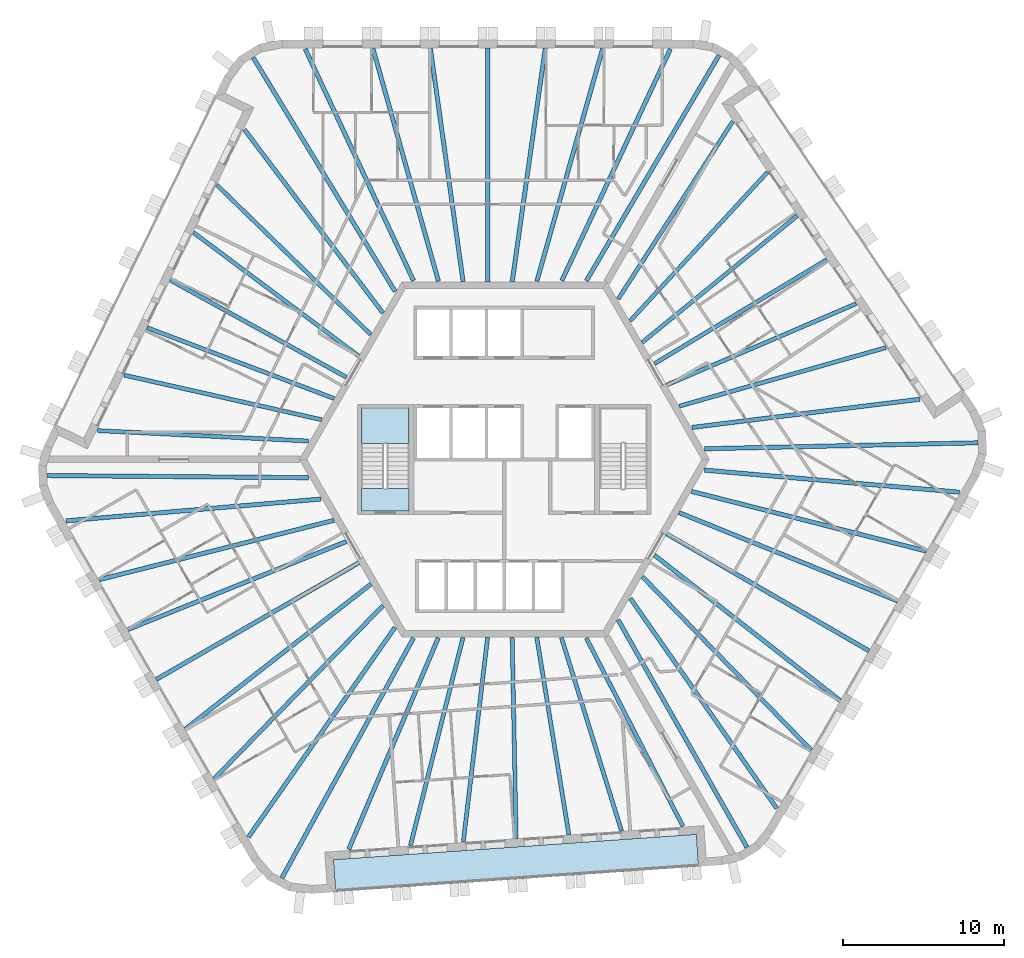
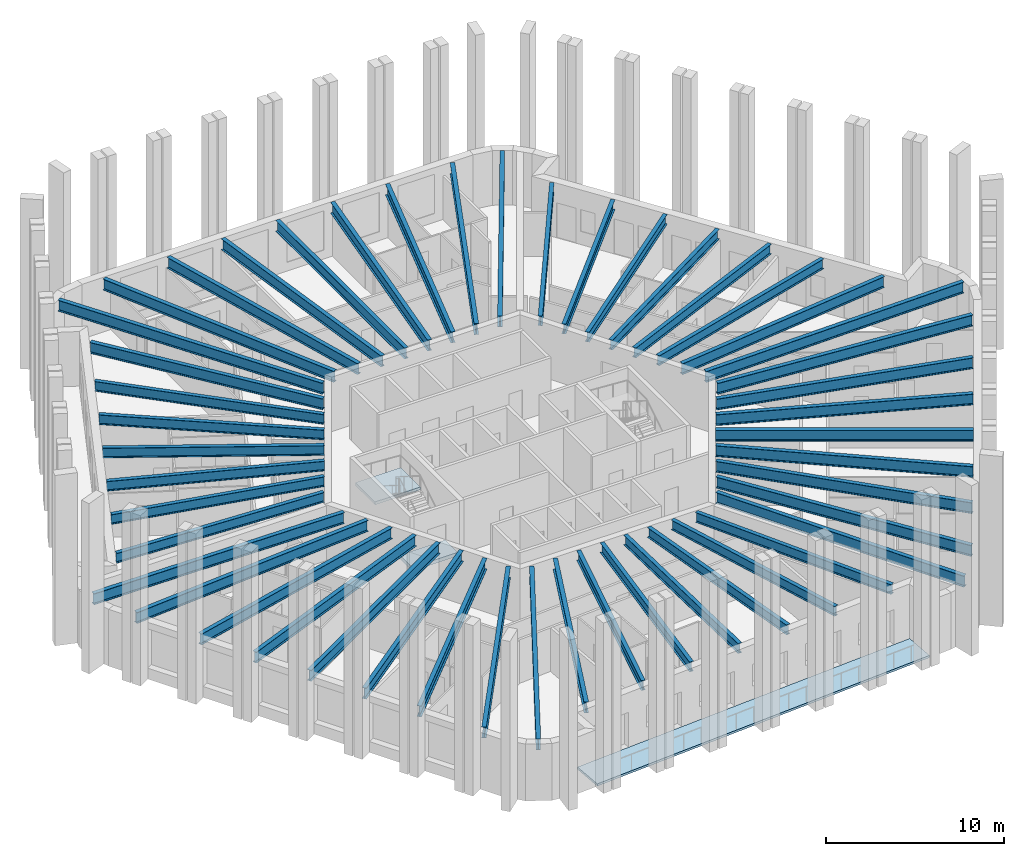
# One storey, part 1 of 13: 48 beams, 3 slabs, 1 element without a shape of its own.
"""IFC4 building model written with IfcOpenShell, lengths in metres."""

from ifc_helpers import new_model, si_unit, direction, frame, origin, origin_2d, place, context, subcontext, project, spatial, polyline, i_section, outline, extrude, material, layer, layer_set, material_profile, profile_set, type_object, element, aggregate, save


model = new_model("IFC4")

# Units and contexts
model_context = context("Model", 3, precision=1e-05, world=origin(), true_north=direction((0.0, 1.0)))
body_context = subcontext(model_context, "Body", "Model", "MODEL_VIEW")
ifc_project = project(units=[si_unit("LENGTHUNIT", "METRE"), si_unit("AREAUNIT", "SQUARE_METRE"), si_unit("VOLUMEUNIT", "CUBIC_METRE"), si_unit("PLANEANGLEUNIT", "RADIAN"), si_unit("MASSUNIT", "GRAM", prefix="KILO")], contexts=[model_context])

# Site, building, storey
site_placement = place(None, origin())
site = spatial("IfcSite", under=ifc_project, at=site_placement, CompositionType="ELEMENT")
building_placement = place(site_placement, origin())
building = spatial("IfcBuilding", under=site, at=building_placement, Name="Tarnside Tower", CompositionType="ELEMENT")
storey_placement = place(building_placement, frame((0.0, 0.0, 279.60009765625)))
storey = spatial("IfcBuildingStorey", under=building, at=storey_placement, Name="L67", CompositionType="ELEMENT", Elevation=279.60009765625)

# Beams
ifc_material_1 = material(Name="Steel S355", Category="steel")
ifc_material_profile_1 = material_profile(ifc_material_1, i_section(OverallWidth=0.2529296875, OverallDepth=0.677978515625, WebThickness=0.01171875, FlangeThickness=0.01611328125, FilletRadius=0.01513671875, at=origin_2d()), Name="UB 686x254x125")
ifc_profile_set_1 = profile_set([ifc_material_profile_1], Name="Steel S355")
beam_type_1 = type_object("IfcBeamType", Name="Floor beam UB 686x254x125", PredefinedType="BEAM", material=ifc_profile_set_1)
beam_1_placement = place(storey_placement, frame((-17.811279296875, 17.002197265625, 3.410888671875), z_axis=(0.717190986424, -0.696876666988, 0.0), x_axis=(0.696876666988, 0.717190986424, 0.0)))
element("IfcBeam", 1, at=beam_1_placement, inside=storey, type_object=beam_type_1, Name="Floor beam F2.02", PredefinedType="BEAM", context=body_context, shape_type="SweptSolid", body=[
    extrude(i_section(OverallWidth=0.2529296875, OverallDepth=0.677978515625, WebThickness=0.01171875, FlangeThickness=0.01611328125, FilletRadius=0.01513671875, at=origin_2d()), origin(), (0.0, 0.0, 1.0), 13.2919921875),
])
beam_2_placement = place(storey_placement, frame((-19.25, 14.0498046875, 3.410888671875), z_axis=(0.801006417676, -0.598655759883, 0.0), x_axis=(0.598655759883, 0.801006417676, 0.0)))
element("IfcBeam", 2, at=beam_2_placement, inside=storey, type_object=beam_type_1, Name="Floor beam F2.03", PredefinedType="BEAM", context=body_context, shape_type="SweptSolid", body=[
    extrude(i_section(OverallWidth=0.2529296875, OverallDepth=0.677978515625, WebThickness=0.01171875, FlangeThickness=0.01611328125, FilletRadius=0.01513671875, at=origin_2d()), origin(), (0.0, 0.0, 1.0), 12.764892578125),
])
beam_3_placement = place(storey_placement, frame((-20.70458984375, 11.111572265625, 3.410888671875), z_axis=(0.875666768762, -0.482915841619, 0.0), x_axis=(0.482915841619, 0.875666768762, 0.0)))
element("IfcBeam", 3, at=beam_3_placement, inside=storey, type_object=beam_type_1, Name="Floor beam F2.04", PredefinedType="BEAM", context=body_context, shape_type="SweptSolid", body=[
    extrude(i_section(OverallWidth=0.2529296875, OverallDepth=0.677978515625, WebThickness=0.01171875, FlangeThickness=0.01611328125, FilletRadius=0.01513671875, at=origin_2d()), origin(), (0.0, 0.0, 1.0), 12.468994140625),
])
beam_4_placement = place(storey_placement, frame((-22.141357421875, 8.165771484375, 3.410888671875), z_axis=(0.935116350489, -0.354340811998, 0.0), x_axis=(0.354340811998, 0.935116350489, 0.0)))
element("IfcBeam", 4, at=beam_4_placement, inside=storey, type_object=beam_type_1, Name="Floor beam F2.05", PredefinedType="BEAM", context=body_context, shape_type="SweptSolid", body=[
    extrude(i_section(OverallWidth=0.2529296875, OverallDepth=0.677978515625, WebThickness=0.01171875, FlangeThickness=0.01611328125, FilletRadius=0.01513671875, at=origin_2d()), origin(), (0.0, 0.0, 1.0), 12.399169921875),
])
beam_5_placement = place(storey_placement, frame((-23.556884765625, 5.2197265625, 3.410888671875), z_axis=(0.975445185376, -0.220242344534, 0.0), x_axis=(0.220242344534, 0.975445185376, 0.0)))
element("IfcBeam", 5, at=beam_5_placement, inside=storey, type_object=beam_type_1, Name="Floor beam F2.06", PredefinedType="BEAM", context=body_context, shape_type="SweptSolid", body=[
    extrude(i_section(OverallWidth=0.2529296875, OverallDepth=0.677978515625, WebThickness=0.01171875, FlangeThickness=0.01611328125, FilletRadius=0.01513671875, at=origin_2d()), origin(), (0.0, 0.0, 1.0), 12.538330078125),
])
beam_6_placement = place(storey_placement, frame((-25.214599609375, 1.7841796875, 3.410888671875), z_axis=(0.998783137237, -0.049317793651, 0.0), x_axis=(0.049317793651, 0.998783137237, 0.0)))
element("IfcBeam", 6, at=beam_6_placement, inside=storey, type_object=beam_type_1, Name="Floor beam F2.07", PredefinedType="BEAM", context=body_context, shape_type="SweptSolid", body=[
    extrude(i_section(OverallWidth=0.2529296875, OverallDepth=0.677978515625, WebThickness=0.01171875, FlangeThickness=0.01611328125, FilletRadius=0.01513671875, at=origin_2d()), origin(), (0.0, 0.0, 1.0), 13.103515625),
])
beam_7_placement = place(storey_placement, frame((-5.818603515625, -23.92626953125, 3.410888671875), z_axis=(0.244907502604, 0.969546448175, 0.0), x_axis=(-0.969546448175, 0.244907502604, 0.0)))
element("IfcBeam", 7, at=beam_7_placement, inside=storey, type_object=beam_type_1, Name="Floor beam F4.02", PredefinedType="BEAM", context=body_context, shape_type="SweptSolid", body=[
    extrude(i_section(OverallWidth=0.2529296875, OverallDepth=0.677978515625, WebThickness=0.01171875, FlangeThickness=0.01611328125, FilletRadius=0.01513671875, at=origin_2d()), origin(), (0.0, 0.0, 1.0), 13.292236328125),
])
beam_8_placement = place(storey_placement, frame((-2.54248046875, -23.69580078125, 3.410888671875), z_axis=(0.117949762105, 0.993019563563, 0.0), x_axis=(-0.993019563563, 0.117949762105, 0.0)))
element("IfcBeam", 8, at=beam_8_placement, inside=storey, type_object=beam_type_1, Name="Floor beam F4.03", PredefinedType="BEAM", context=body_context, shape_type="SweptSolid", body=[
    extrude(i_section(OverallWidth=0.2529296875, OverallDepth=0.677978515625, WebThickness=0.01171875, FlangeThickness=0.01611328125, FilletRadius=0.01513671875, at=origin_2d()), origin(), (0.0, 0.0, 1.0), 12.764892578125),
])
beam_9_placement = place(storey_placement, frame((0.7294921875, -23.486328125, 3.410888671875), z_axis=(-0.019619426101, 0.999807520536, 0.0), x_axis=(-0.999807520536, -0.019619426101, 0.0)))
element("IfcBeam", 9, at=beam_9_placement, inside=storey, type_object=beam_type_1, Name="Floor beam F4.04", PredefinedType="BEAM", context=body_context, shape_type="SweptSolid", body=[
    extrude(i_section(OverallWidth=0.2529296875, OverallDepth=0.677978515625, WebThickness=0.01171875, FlangeThickness=0.01611328125, FilletRadius=0.01513671875, at=origin_2d()), origin(), (0.0, 0.0, 1.0), 12.46875),
])
beam_10_placement = place(storey_placement, frame((3.9990234375, -23.2578125, 3.410888671875), z_axis=(-0.160690769029, 0.987004800773, 0.0), x_axis=(-0.987004800773, -0.160690769029, 0.0)))
element("IfcBeam", 10, at=beam_10_placement, inside=storey, type_object=beam_type_1, Name="Floor beam F4.05", PredefinedType="BEAM", context=body_context, shape_type="SweptSolid", body=[
    extrude(i_section(OverallWidth=0.2529296875, OverallDepth=0.677978515625, WebThickness=0.01171875, FlangeThickness=0.01611328125, FilletRadius=0.01513671875, at=origin_2d()), origin(), (0.0, 0.0, 1.0), 12.399169921875),
])
beam_11_placement = place(storey_placement, frame((7.258056640625, -23.0107421875, 3.410888671875), z_axis=(-0.296997512057, 0.954878252885, 0.0), x_axis=(-0.954878252885, -0.296997512057, 0.0)))
element("IfcBeam", 11, at=beam_11_placement, inside=storey, type_object=beam_type_1, Name="Floor beam F4.06", PredefinedType="BEAM", context=body_context, shape_type="SweptSolid", body=[
    extrude(i_section(OverallWidth=0.2529296875, OverallDepth=0.677978515625, WebThickness=0.01171875, FlangeThickness=0.01611328125, FilletRadius=0.01513671875, at=origin_2d()), origin(), (0.0, 0.0, 1.0), 12.538330078125),
])
beam_12_placement = place(storey_placement, frame((11.06201171875, -22.728515625, 3.410888671875), z_axis=(-0.456683143477, 0.889629420862, 0.0), x_axis=(-0.889629420862, -0.456683143477, 0.0)))
element("IfcBeam", 12, at=beam_12_placement, inside=storey, type_object=beam_type_1, Name="Floor beam F4.07", PredefinedType="BEAM", context=body_context, shape_type="SweptSolid", body=[
    extrude(i_section(OverallWidth=0.2529296875, OverallDepth=0.677978515625, WebThickness=0.01171875, FlangeThickness=0.01611328125, FilletRadius=0.01513671875, at=origin_2d()), origin(), (0.0, 0.0, 1.0), 13.103515625),
])
beam_13_placement = place(storey_placement, frame((23.6298828125, 6.924072265625, 3.410888671875), z_axis=(-0.962104001021, -0.272682766636, 0.0), x_axis=(0.272682766636, -0.962104001021, 0.0)))
element("IfcBeam", 13, at=beam_13_placement, inside=storey, type_object=beam_type_1, Name="Floor beam F6.02", PredefinedType="BEAM", context=body_context, shape_type="SweptSolid", body=[
    extrude(i_section(OverallWidth=0.2529296875, OverallDepth=0.677978515625, WebThickness=0.01171875, FlangeThickness=0.01611328125, FilletRadius=0.01513671875, at=origin_2d()), origin(), (0.0, 0.0, 1.0), 13.2919921875),
])
beam_14_placement = place(storey_placement, frame((21.792236328125, 9.64599609375, 3.410888671875), z_axis=(-0.918954980534, -0.394362452258, 0.0), x_axis=(0.394362452258, -0.918954980534, 0.0)))
element("IfcBeam", 14, at=beam_14_placement, inside=storey, type_object=beam_type_1, Name="Floor beam F6.03", PredefinedType="BEAM", context=body_context, shape_type="SweptSolid", body=[
    extrude(i_section(OverallWidth=0.2529296875, OverallDepth=0.677978515625, WebThickness=0.01171875, FlangeThickness=0.01611328125, FilletRadius=0.01513671875, at=origin_2d()), origin(), (0.0, 0.0, 1.0), 12.7646484375),
])
beam_15_placement = place(storey_placement, frame((19.97509765625, 12.375, 3.410888671875), z_axis=(-0.856046953876, -0.516898068055, 0.0), x_axis=(0.516898068055, -0.856046953876, 0.0)))
element("IfcBeam", 15, at=beam_15_placement, inside=storey, type_object=beam_type_1, Name="Floor beam F6.04", PredefinedType="BEAM", context=body_context, shape_type="SweptSolid", body=[
    extrude(i_section(OverallWidth=0.2529296875, OverallDepth=0.677978515625, WebThickness=0.01171875, FlangeThickness=0.01611328125, FilletRadius=0.01513671875, at=origin_2d()), origin(), (0.0, 0.0, 1.0), 12.46875),
])
beam_16_placement = place(storey_placement, frame((18.142333984375, 15.092041015625, 3.410888671875), z_axis=(-0.774438707576, -0.632648945473, 0.0), x_axis=(0.632648945473, -0.774438707576, 0.0)))
element("IfcBeam", 16, at=beam_16_placement, inside=storey, type_object=beam_type_1, Name="Floor beam F6.05", PredefinedType="BEAM", context=body_context, shape_type="SweptSolid", body=[
    extrude(i_section(OverallWidth=0.2529296875, OverallDepth=0.677978515625, WebThickness=0.01171875, FlangeThickness=0.01611328125, FilletRadius=0.01513671875, at=origin_2d()), origin(), (0.0, 0.0, 1.0), 12.39892578125),
])
beam_17_placement = place(storey_placement, frame((16.299072265625, 17.791015625, 3.410888671875), z_axis=(-0.67846123451, -0.734636204708, 0.0), x_axis=(0.734636204708, -0.67846123451, 0.0)))
element("IfcBeam", 17, at=beam_17_placement, inside=storey, type_object=beam_type_1, Name="Floor beam F6.06", PredefinedType="BEAM", context=body_context, shape_type="SweptSolid", body=[
    extrude(i_section(OverallWidth=0.2529296875, OverallDepth=0.677978515625, WebThickness=0.01171875, FlangeThickness=0.01611328125, FilletRadius=0.01513671875, at=origin_2d()), origin(), (0.0, 0.0, 1.0), 12.538330078125),
])
beam_18_placement = place(storey_placement, frame((14.152587890625, 20.9443359375, 3.410888671875), z_axis=(-0.54209970956, -0.840314170352, 0.0), x_axis=(0.840314170352, -0.54209970956, 0.0)))
element("IfcBeam", 18, at=beam_18_placement, inside=storey, type_object=beam_type_1, Name="Floor beam F6.07", PredefinedType="BEAM", context=body_context, shape_type="SweptSolid", body=[
    extrude(i_section(OverallWidth=0.2529296875, OverallDepth=0.677978515625, WebThickness=0.01171875, FlangeThickness=0.01611328125, FilletRadius=0.01513671875, at=origin_2d()), origin(), (0.0, 0.0, 1.0), 13.103759765625),
])
ifc_material_profile_2 = material_profile(ifc_material_1, i_section(OverallWidth=0.26513671875, OverallDepth=0.75390625, WebThickness=0.0126953125, FlangeThickness=0.017578125, FilletRadius=0.0166015625, at=origin_2d()), Name="UB 762x267x147")
ifc_profile_set_2 = profile_set([ifc_material_profile_2], Name="Steel S355")
beam_type_2 = type_object("IfcBeamType", Name="Floor beam UB 762x267x147", PredefinedType="BEAM", material=ifc_profile_set_2)
beam_19_placement = place(storey_placement, frame((6.093505859375, 25.46142578125, 3.372802734375), z_axis=(-0.272147186115, -0.962255636039, 0.0), x_axis=(0.962255636039, -0.272147186115, 0.0)))
element("IfcBeam", 19, at=beam_19_placement, inside=storey, type_object=beam_type_2, Name="Floor beam F1.02", PredefinedType="BEAM", context=body_context, shape_type="SweptSolid", body=[
    extrude(i_section(OverallWidth=0.26513671875, OverallDepth=0.75390625, WebThickness=0.0126953125, FlangeThickness=0.017578125, FilletRadius=0.0166015625, at=origin_2d()), origin(), (0.0, 0.0, 1.0), 14.988525390625),
])
beam_20_placement = place(storey_placement, frame((2.537109375, 25.480224609375, 3.372802734375), z_axis=(-0.140349428967, -0.990102034029, 0.0), x_axis=(0.990102034029, -0.140349428967, 0.0)))
element("IfcBeam", 20, at=beam_20_placement, inside=storey, type_object=beam_type_2, Name="Floor beam F1.03", PredefinedType="BEAM", context=body_context, shape_type="SweptSolid", body=[
    extrude(i_section(OverallWidth=0.26513671875, OverallDepth=0.75390625, WebThickness=0.0126953125, FlangeThickness=0.017578125, FilletRadius=0.0166015625, at=origin_2d()), origin(), (0.0, 0.0, 1.0), 14.60498046875),
])
beam_21_placement = place(storey_placement, frame((-1.02490234375, 25.5, 3.372802734375), z_axis=(-0.000656653953, -0.999999784403, 0.0), x_axis=(0.999999784403, -0.000656653953, 0.0)))
element("IfcBeam", 21, at=beam_21_placement, inside=storey, type_object=beam_type_2, Name="Floor beam F1.04", PredefinedType="BEAM", context=body_context, shape_type="SweptSolid", body=[
    extrude(i_section(OverallWidth=0.26513671875, OverallDepth=0.75390625, WebThickness=0.0126953125, FlangeThickness=0.017578125, FilletRadius=0.0166015625, at=origin_2d()), origin(), (0.0, 0.0, 1.0), 14.5),
])
beam_22_placement = place(storey_placement, frame((-4.5869140625, 25.480224609375, 3.372802734375), z_axis=(0.139070897001, -0.990282427193, 0.0), x_axis=(0.990282427193, 0.139070897001, 0.0)))
element("IfcBeam", 22, at=beam_22_placement, inside=storey, type_object=beam_type_2, Name="Floor beam F1.05", PredefinedType="BEAM", context=body_context, shape_type="SweptSolid", body=[
    extrude(i_section(OverallWidth=0.26513671875, OverallDepth=0.75390625, WebThickness=0.0126953125, FlangeThickness=0.017578125, FilletRadius=0.0166015625, at=origin_2d()), origin(), (0.0, 0.0, 1.0), 14.602294921875),
])
beam_23_placement = place(storey_placement, frame((-8.1435546875, 25.46142578125, 3.372802734375), z_axis=(0.270985274434, -0.962583493023, 0.0), x_axis=(0.962583493023, 0.270985274434, 0.0)))
element("IfcBeam", 23, at=beam_23_placement, inside=storey, type_object=beam_type_2, Name="Floor beam F1.06", PredefinedType="BEAM", context=body_context, shape_type="SweptSolid", body=[
    extrude(i_section(OverallWidth=0.26513671875, OverallDepth=0.75390625, WebThickness=0.0126953125, FlangeThickness=0.017578125, FilletRadius=0.0166015625, at=origin_2d()), origin(), (0.0, 0.0, 1.0), 14.9833984375),
])
beam_24_placement = place(storey_placement, frame((-16.101318359375, 20.43212890625, 3.372802734375), z_axis=(0.602566097863, -0.798068980543, 0.0), x_axis=(0.798068980543, 0.602566097863, 0.0)))
element("IfcBeam", 24, at=beam_24_placement, inside=storey, type_object=beam_type_2, Name="Floor beam F2.01", PredefinedType="BEAM", context=body_context, shape_type="SweptSolid", body=[
    extrude(i_section(OverallWidth=0.26513671875, OverallDepth=0.75390625, WebThickness=0.0126953125, FlangeThickness=0.017578125, FilletRadius=0.0166015625, at=origin_2d()), origin(), (0.0, 0.0, 1.0), 14.231201171875),
])
beam_25_placement = place(storey_placement, frame((-25.09716796875, -7.45361328125, 3.372802734375), z_axis=(0.969413823687, 0.245431942592, 0.0), x_axis=(-0.245431942592, 0.969413823687, 0.0)))
element("IfcBeam", 25, at=beam_25_placement, inside=storey, type_object=beam_type_2, Name="Floor beam F3.02", PredefinedType="BEAM", context=body_context, shape_type="SweptSolid", body=[
    extrude(i_section(OverallWidth=0.26513671875, OverallDepth=0.75390625, WebThickness=0.0126953125, FlangeThickness=0.017578125, FilletRadius=0.0166015625, at=origin_2d()), origin(), (0.0, 0.0, 1.0), 14.98876953125),
])
beam_26_placement = place(storey_placement, frame((-23.3349609375, -10.54296875, 3.372802734375), z_axis=(0.927625766949, 0.373510958998, 0.0), x_axis=(-0.373510958998, 0.927625766949, 0.0)))
element("IfcBeam", 26, at=beam_26_placement, inside=storey, type_object=beam_type_2, Name="Floor beam F3.03", PredefinedType="BEAM", context=body_context, shape_type="SweptSolid", body=[
    extrude(i_section(OverallWidth=0.26513671875, OverallDepth=0.75390625, WebThickness=0.0126953125, FlangeThickness=0.017578125, FilletRadius=0.0166015625, at=origin_2d()), origin(), (0.0, 0.0, 1.0), 14.60498046875),
])
beam_27_placement = place(storey_placement, frame((-21.5712890625, -13.6376953125, 3.372802734375), z_axis=(0.866357363831, 0.499424587036, 0.0), x_axis=(-0.499424587036, 0.866357363831, 0.0)))
element("IfcBeam", 27, at=beam_27_placement, inside=storey, type_object=beam_type_2, Name="Floor beam F3.04", PredefinedType="BEAM", context=body_context, shape_type="SweptSolid", body=[
    extrude(i_section(OverallWidth=0.26513671875, OverallDepth=0.75390625, WebThickness=0.0126953125, FlangeThickness=0.017578125, FilletRadius=0.0166015625, at=origin_2d()), origin(), (0.0, 0.0, 1.0), 14.5),
])
beam_28_placement = place(storey_placement, frame((-19.77294921875, -16.71240234375, 3.372802734375), z_axis=(0.788074813552, 0.615579473541, 0.0), x_axis=(-0.615579473541, 0.788074813552, 0.0)))
element("IfcBeam", 28, at=beam_28_placement, inside=storey, type_object=beam_type_2, Name="Floor beam F3.05", PredefinedType="BEAM", context=body_context, shape_type="SweptSolid", body=[
    extrude(i_section(OverallWidth=0.26513671875, OverallDepth=0.75390625, WebThickness=0.0126953125, FlangeThickness=0.017578125, FilletRadius=0.0166015625, at=origin_2d()), origin(), (0.0, 0.0, 1.0), 14.60205078125),
])
beam_29_placement = place(storey_placement, frame((-17.978515625, -19.783203125, 3.372802734375), z_axis=(0.698129580508, 0.71597143017, 0.0), x_axis=(-0.71597143017, 0.698129580508, 0.0)))
element("IfcBeam", 29, at=beam_29_placement, inside=storey, type_object=beam_type_2, Name="Floor beam F3.06", PredefinedType="BEAM", context=body_context, shape_type="SweptSolid", body=[
    extrude(i_section(OverallWidth=0.26513671875, OverallDepth=0.75390625, WebThickness=0.0126953125, FlangeThickness=0.017578125, FilletRadius=0.0166015625, at=origin_2d()), origin(), (0.0, 0.0, 1.0), 14.983642578125),
])
beam_30_placement = place(storey_placement, frame((-9.64404296875, -24.160400390625, 3.372802734375), z_axis=(0.389873911801, 0.920868249478, 0.0), x_axis=(-0.920868249478, 0.389873911801, 0.0)))
element("IfcBeam", 30, at=beam_30_placement, inside=storey, type_object=beam_type_2, Name="Floor beam F4.01", PredefinedType="BEAM", context=body_context, shape_type="SweptSolid", body=[
    extrude(i_section(OverallWidth=0.26513671875, OverallDepth=0.75390625, WebThickness=0.0126953125, FlangeThickness=0.017578125, FilletRadius=0.0166015625, at=origin_2d()), origin(), (0.0, 0.0, 1.0), 14.231201171875),
])
beam_31_placement = place(storey_placement, frame((19.00341796875, -18.008056640625, 3.372802734375), z_axis=(-0.697249797022, 0.716828236437, 0.0), x_axis=(-0.716828236437, -0.697249797022, 0.0)))
element("IfcBeam", 31, at=beam_31_placement, inside=storey, type_object=beam_type_2, Name="Floor beam F5.02", PredefinedType="BEAM", context=body_context, shape_type="SweptSolid", body=[
    extrude(i_section(OverallWidth=0.26513671875, OverallDepth=0.75390625, WebThickness=0.0126953125, FlangeThickness=0.017578125, FilletRadius=0.0166015625, at=origin_2d()), origin(), (0.0, 0.0, 1.0), 14.98876953125),
])
beam_32_placement = place(storey_placement, frame((20.798095703125, -14.937255859375, 3.372802734375), z_axis=(-0.787282014804, 0.616593082321, 0.0), x_axis=(-0.616593082321, -0.787282014804, 0.0)))
element("IfcBeam", 32, at=beam_32_placement, inside=storey, type_object=beam_type_2, Name="Floor beam F5.03", PredefinedType="BEAM", context=body_context, shape_type="SweptSolid", body=[
    extrude(i_section(OverallWidth=0.26513671875, OverallDepth=0.75390625, WebThickness=0.0126953125, FlangeThickness=0.017578125, FilletRadius=0.0166015625, at=origin_2d()), origin(), (0.0, 0.0, 1.0), 14.60498046875),
])
beam_33_placement = place(storey_placement, frame((22.59619140625, -11.8623046875, 3.372802734375), z_axis=(-0.865697438889, 0.500567622106, 0.0), x_axis=(-0.500567622106, -0.865697438889, 0.0)))
element("IfcBeam", 33, at=beam_33_placement, inside=storey, type_object=beam_type_2, Name="Floor beam F5.04", PredefinedType="BEAM", context=body_context, shape_type="SweptSolid", body=[
    extrude(i_section(OverallWidth=0.26513671875, OverallDepth=0.75390625, WebThickness=0.0126953125, FlangeThickness=0.017578125, FilletRadius=0.0166015625, at=origin_2d()), origin(), (0.0, 0.0, 1.0), 14.500244140625),
])
beam_34_placement = place(storey_placement, frame((24.35986328125, -8.767578125, 3.372802734375), z_axis=(-0.927145907531, 0.374700501933, 0.0), x_axis=(-0.374700501933, -0.927145907531, 0.0)))
element("IfcBeam", 34, at=beam_34_placement, inside=storey, type_object=beam_type_2, Name="Floor beam F5.05", PredefinedType="BEAM", context=body_context, shape_type="SweptSolid", body=[
    extrude(i_section(OverallWidth=0.26513671875, OverallDepth=0.75390625, WebThickness=0.0126953125, FlangeThickness=0.017578125, FilletRadius=0.0166015625, at=origin_2d()), origin(), (0.0, 0.0, 1.0), 14.60205078125),
])
beam_35_placement = place(storey_placement, frame((26.1220703125, -5.67822265625, 3.372802734375), z_axis=(-0.969115089144, 0.246608888716, 0.0), x_axis=(-0.246608888716, -0.969115089144, 0.0)))
element("IfcBeam", 35, at=beam_35_placement, inside=storey, type_object=beam_type_2, Name="Floor beam F5.06", PredefinedType="BEAM", context=body_context, shape_type="SweptSolid", body=[
    extrude(i_section(OverallWidth=0.26513671875, OverallDepth=0.75390625, WebThickness=0.0126953125, FlangeThickness=0.017578125, FilletRadius=0.0166015625, at=origin_2d()), origin(), (0.0, 0.0, 1.0), 14.9833984375),
])
beam_36_placement = place(storey_placement, frame((25.745361328125, 3.72802734375, 3.372802734375), z_axis=(-0.992433598491, -0.122782541866, 0.0), x_axis=(0.122782541866, -0.992433598491, 0.0)))
element("IfcBeam", 36, at=beam_36_placement, inside=storey, type_object=beam_type_2, Name="Floor beam F6.01", PredefinedType="BEAM", context=body_context, shape_type="SweptSolid", body=[
    extrude(i_section(OverallWidth=0.26513671875, OverallDepth=0.75390625, WebThickness=0.0126953125, FlangeThickness=0.017578125, FilletRadius=0.0166015625, at=origin_2d()), origin(), (0.0, 0.0, 1.0), 14.23095703125),
])
ifc_material_profile_3 = material_profile(ifc_material_1, i_section(OverallWidth=0.2666015625, OverallDepth=0.76220703125, WebThickness=0.014404296875, FlangeThickness=0.021484375, FilletRadius=0.0166015625, at=origin_2d()), Name="UB 762x267x173")
ifc_profile_set_3 = profile_set([ifc_material_profile_3], Name="Steel S355")
beam_type_3 = type_object("IfcBeamType", Name="Floor beam UB 762x267x173", PredefinedType="BEAM", material=ifc_profile_set_3)
beam_37_placement = place(storey_placement, frame((10.285400390625, 25.427490234375, 3.368896484375), z_axis=(-0.424439399801, -0.905456346765, 0.0), x_axis=(0.905456346765, -0.424439399801, 0.0)))
element("IfcBeam", 37, at=beam_37_placement, inside=storey, type_object=beam_type_3, Name="Floor beam F1.01", PredefinedType="BEAM", context=body_context, shape_type="SweptSolid", body=[
    extrude(i_section(OverallWidth=0.2666015625, OverallDepth=0.76220703125, WebThickness=0.014404296875, FlangeThickness=0.021484375, FilletRadius=0.0166015625, at=origin_2d()), origin(), (0.0, 0.0, 1.0), 15.853759765625),
])
beam_38_placement = place(storey_placement, frame((-12.335205078125, 25.427490234375, 3.368896484375), z_axis=(0.423453877267, -0.905917663934, 0.0), x_axis=(0.905917663934, 0.423453877267, 0.0)))
element("IfcBeam", 38, at=beam_38_placement, inside=storey, type_object=beam_type_3, Name="Floor beam F1.07", PredefinedType="BEAM", context=body_context, shape_type="SweptSolid", body=[
    extrude(i_section(OverallWidth=0.2666015625, OverallDepth=0.76220703125, WebThickness=0.014404296875, FlangeThickness=0.021484375, FilletRadius=0.0166015625, at=origin_2d()), origin(), (0.0, 0.0, 1.0), 15.845703125),
])
beam_39_placement = place(storey_placement, frame((-15.5703125, 24.91162109375, 3.368896484375), z_axis=(0.518716683755, -0.854946198304, 0.0), x_axis=(0.854946198304, 0.518716683755, 0.0)))
element("IfcBeam", 39, at=beam_39_placement, inside=storey, type_object=beam_type_3, Name="Floor beam C1", PredefinedType="BEAM", context=body_context, shape_type="SweptSolid", body=[
    extrude(i_section(OverallWidth=0.2666015625, OverallDepth=0.76220703125, WebThickness=0.014404296875, FlangeThickness=0.021484375, FilletRadius=0.0166015625, at=origin_2d()), origin(), (0.0, 0.0, 1.0), 16.961181640625),
])
beam_40_placement = place(storey_placement, frame((-28.3291015625, -1.0009765625, 3.368896484375), z_axis=(0.999966651082, -0.008166806173, 0.0), x_axis=(0.008166806173, 0.999966651082, 0.0)))
element("IfcBeam", 40, at=beam_40_placement, inside=storey, type_object=beam_type_3, Name="Floor beam C2", PredefinedType="BEAM", context=body_context, shape_type="SweptSolid", body=[
    extrude(i_section(OverallWidth=0.2666015625, OverallDepth=0.76220703125, WebThickness=0.014404296875, FlangeThickness=0.021484375, FilletRadius=0.0166015625, at=origin_2d()), origin(), (0.0, 0.0, 1.0), 16.20263671875),
])
beam_41_placement = place(storey_placement, frame((-27.16357421875, -3.806396484375, 3.368896484375), z_axis=(0.996367434748, 0.085158293626, 0.0), x_axis=(-0.085158293626, 0.996367434748, 0.0)))
element("IfcBeam", 41, at=beam_41_placement, inside=storey, type_object=beam_type_3, Name="Floor beam F3.01", PredefinedType="BEAM", context=body_context, shape_type="SweptSolid", body=[
    extrude(i_section(OverallWidth=0.2666015625, OverallDepth=0.76220703125, WebThickness=0.014404296875, FlangeThickness=0.021484375, FilletRadius=0.0166015625, at=origin_2d()), origin(), (0.0, 0.0, 1.0), 15.85400390625),
])
beam_42_placement = place(storey_placement, frame((-15.853271484375, -23.396484375, 3.368896484375), z_axis=(0.572816933654, 0.819683329414, 0.0), x_axis=(-0.819683329414, 0.572816933654, 0.0)))
element("IfcBeam", 42, at=beam_42_placement, inside=storey, type_object=beam_type_3, Name="Floor beam F3.07", PredefinedType="BEAM", context=body_context, shape_type="SweptSolid", body=[
    extrude(i_section(OverallWidth=0.2666015625, OverallDepth=0.76220703125, WebThickness=0.014404296875, FlangeThickness=0.021484375, FilletRadius=0.0166015625, at=origin_2d()), origin(), (0.0, 0.0, 1.0), 15.84619140625),
])
beam_43_placement = place(storey_placement, frame((-13.788818359375, -25.93994140625, 3.368896484375), z_axis=(0.481036073107, 0.876700802081, 0.0), x_axis=(-0.876700802081, 0.481036073107, 0.0)))
element("IfcBeam", 43, at=beam_43_placement, inside=storey, type_object=beam_type_3, Name="Floor beam C3", PredefinedType="BEAM", context=body_context, shape_type="SweptSolid", body=[
    extrude(i_section(OverallWidth=0.2666015625, OverallDepth=0.76220703125, WebThickness=0.014404296875, FlangeThickness=0.021484375, FilletRadius=0.0166015625, at=origin_2d()), origin(), (0.0, 0.0, 1.0), 16.961181640625),
])
beam_44_placement = place(storey_placement, frame((15.031494140625, -24.033447265625, 3.368896484375), z_axis=(-0.49290801997, 0.870081423689, 0.0), x_axis=(-0.870081423689, -0.49290801997, 0.0)))
element("IfcBeam", 44, at=beam_44_placement, inside=storey, type_object=beam_type_3, Name="Floor beam C4", PredefinedType="BEAM", context=body_context, shape_type="SweptSolid", body=[
    extrude(i_section(OverallWidth=0.2666015625, OverallDepth=0.76220703125, WebThickness=0.014404296875, FlangeThickness=0.021484375, FilletRadius=0.0166015625, at=origin_2d()), origin(), (0.0, 0.0, 1.0), 16.202880859375),
])
beam_45_placement = place(storey_placement, frame((16.87841796875, -21.62109375, 3.368896484375), z_axis=(-0.571946235641, 0.82029110902, 0.0), x_axis=(-0.82029110902, -0.571946235641, 0.0)))
element("IfcBeam", 45, at=beam_45_placement, inside=storey, type_object=beam_type_3, Name="Floor beam F5.01", PredefinedType="BEAM", context=body_context, shape_type="SweptSolid", body=[
    extrude(i_section(OverallWidth=0.2666015625, OverallDepth=0.76220703125, WebThickness=0.014404296875, FlangeThickness=0.021484375, FilletRadius=0.0166015625, at=origin_2d()), origin(), (0.0, 0.0, 1.0), 15.85400390625),
])
beam_46_placement = place(storey_placement, frame((28.1884765625, -2.03125, 3.368896484375), z_axis=(-0.996273584651, 0.086249316098, 0.0), x_axis=(-0.086249316098, -0.996273584651, 0.0)))
element("IfcBeam", 46, at=beam_46_placement, inside=storey, type_object=beam_type_3, Name="Floor beam F5.07", PredefinedType="BEAM", context=body_context, shape_type="SweptSolid", body=[
    extrude(i_section(OverallWidth=0.2666015625, OverallDepth=0.76220703125, WebThickness=0.014404296875, FlangeThickness=0.021484375, FilletRadius=0.0166015625, at=origin_2d()), origin(), (0.0, 0.0, 1.0), 15.845947265625),
])
beam_47_placement = place(storey_placement, frame((29.359130859375, 1.028564453125, 3.368896484375), z_axis=(-0.999763142455, -0.02176370807, 0.0), x_axis=(0.02176370807, -0.999763142455, 0.0)))
element("IfcBeam", 47, at=beam_47_placement, inside=storey, type_object=beam_type_3, Name="Floor beam C5", PredefinedType="BEAM", context=body_context, shape_type="SweptSolid", body=[
    extrude(i_section(OverallWidth=0.2666015625, OverallDepth=0.76220703125, WebThickness=0.014404296875, FlangeThickness=0.021484375, FilletRadius=0.0166015625, at=origin_2d()), origin(), (0.0, 0.0, 1.0), 16.961181640625),
])
beam_48_placement = place(storey_placement, frame((13.2978515625, 25.0341796875, 3.368896484375), z_axis=(-0.507080048325, -0.861898964259, 0.0), x_axis=(0.861898964259, -0.507080048325, 0.0)))
element("IfcBeam", 48, at=beam_48_placement, inside=storey, type_object=beam_type_3, Name="Floor beam C6", PredefinedType="BEAM", context=body_context, shape_type="SweptSolid", body=[
    extrude(i_section(OverallWidth=0.2666015625, OverallDepth=0.76220703125, WebThickness=0.014404296875, FlangeThickness=0.021484375, FilletRadius=0.0166015625, at=origin_2d()), origin(), (0.0, 0.0, 1.0), 16.20263671875),
])

# Slabs
ifc_material_2 = material(Name="Concrete C40/50", Category="concrete")
ifc_layer_1 = layer(ifc_material_2, 0.25)
ifc_layer_set_1 = layer_set([ifc_layer_1], Name="Core slab C40/50")
slab_type_1 = type_object("IfcSlabType", Name="Core slab C40/50", PredefinedType="FLOOR", material=ifc_layer_set_1)
slab_1_placement = place(storey_placement, frame((0.0, 0.0, -0.25)))
element("IfcSlab", 49, at=slab_1_placement, inside=storey, type_object=slab_type_1, Name="L67 core floor slab 2", PredefinedType="FLOOR", context=body_context, shape_type="SweptSolid", body=[
    extrude(outline(polyline([(-8.85009765625, -3.199951171875), (-8.85009765625, -1.800048828125), (-5.89990234375, -1.800048828125), (-5.89990234375, -3.199951171875), (-8.85009765625, -3.199951171875)])), origin(), (0.0, 0.0, 1.0), 0.25),
])
ifc_material_3 = material(Name="Timber decking", Category="wood")
ifc_layer_2 = layer(ifc_material_3, 0.0400390625)
ifc_material_4 = material(Name="Concrete C60/75 precast", Category="concrete")
ifc_layer_3 = layer(ifc_material_4, 0.110107421875)
ifc_layer_set_2 = layer_set([ifc_layer_2, ifc_layer_3], Name="Loggia deck 150")
slab_type_2 = type_object("IfcSlabType", Name="Loggia deck 150", PredefinedType="FLOOR", material=ifc_layer_set_2)
slab_2_placement = place(storey_placement, frame((0.0, 0.0, -0.150146484375)))
element("IfcSlab", 50, at=slab_2_placement, inside=storey, type_object=slab_type_2, Name="Loggia deck L67 F4", PredefinedType="FLOOR", context=body_context, shape_type="SweptSolid", body=[
    extrude(outline(polyline([(-10.593017578125, -24.79931640625), (11.896728515625, -23.226806640625), (12.036376953125, -25.221923828125), (-10.45361328125, -26.79443359375), (-10.593017578125, -24.79931640625)])), origin(), (0.0, 0.0, 1.0), 0.150146484375),
])

# Stair, slab
stair_type = type_object("IfcStairType", Name="Exit stair 1400 clear", PredefinedType="HALF_TURN_STAIR", material=ifc_material_2)
stair_placement = place(storey_placement, origin())
stair = element("IfcStair", 51, at=stair_placement, inside=storey, type_object=stair_type, Name="L67 Exit stair 2", PredefinedType="HALF_TURN_STAIR")
ifc_layer_4 = layer(ifc_material_2, 0.199951171875)
ifc_layer_set_3 = layer_set([ifc_layer_4], Name="Stair landing 200 C40/50")
slab_type_3 = type_object("IfcSlabType", Name="Stair landing 200 C40/50", PredefinedType="LANDING", material=ifc_layer_set_3)
slab_3_placement = place(storey_placement, frame((0.0, 0.0, 1.75)))
slab_3 = element("IfcSlab", 52, at=slab_3_placement, type_object=slab_type_3, Name="ST2 landing 1", PredefinedType="LANDING", context=body_context, shape_type="SweptSolid", body=[
    extrude(outline(polyline([(-5.89990234375, 1.0), (-5.89990234375, 3.199951171875), (-8.85009765625, 3.199951171875), (-8.85009765625, 1.0), (-5.89990234375, 1.0)])), origin(), (0.0, 0.0, 1.0), 0.199951171875),
])
aggregate(stair, [slab_3])

save(model, "model.ifc")
